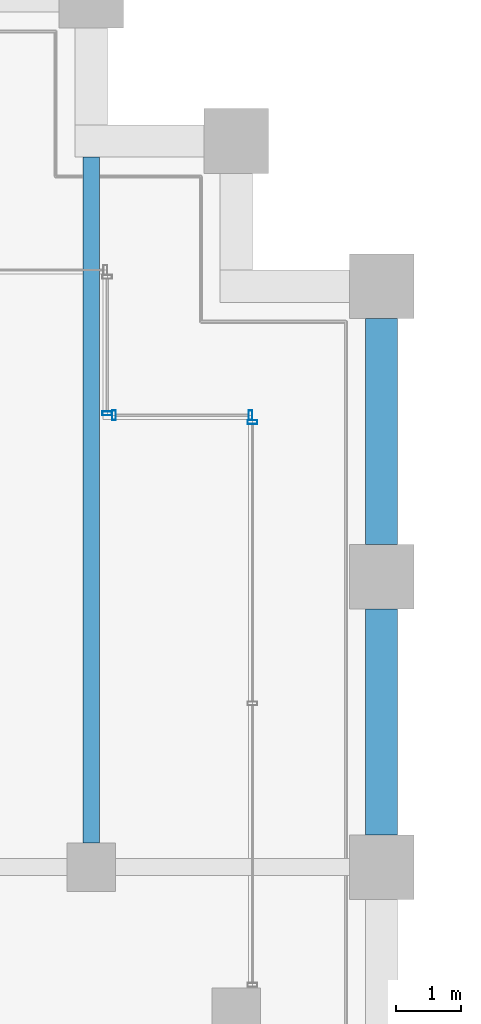
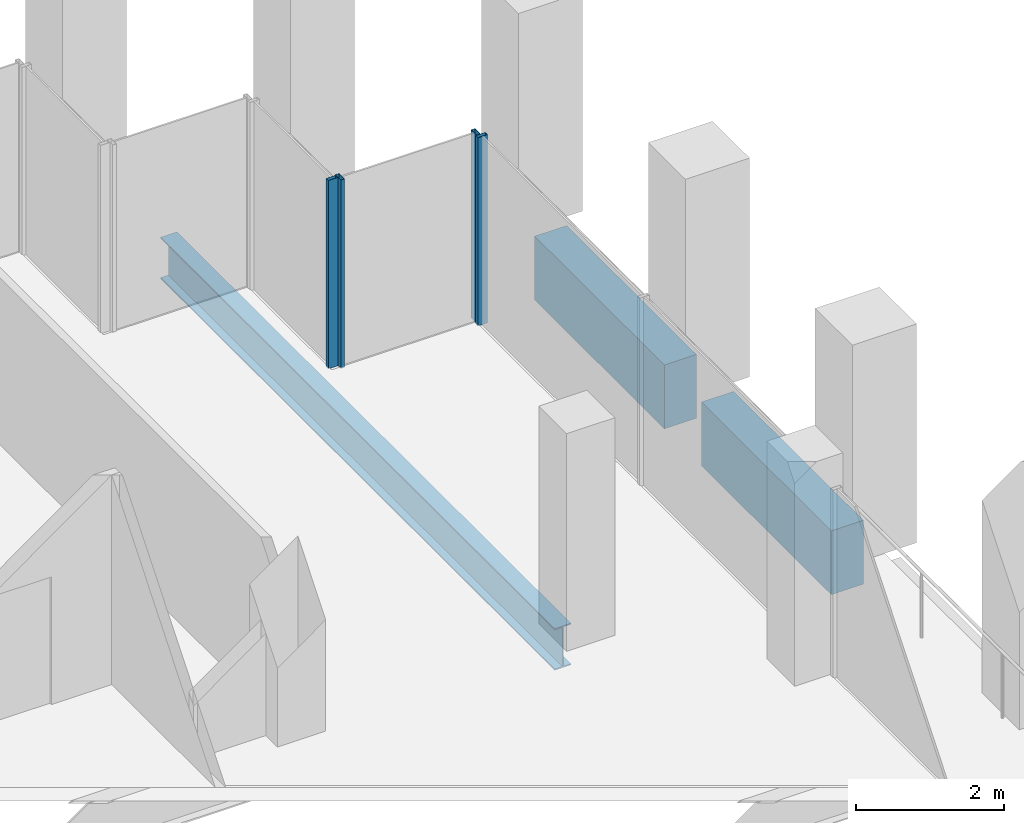
# One storey, part 25 of 46: 4 members, 3 beams, 3 elements without a shape of their own.
"""IFC4 building model written with IfcOpenShell, lengths in metres."""

from ifc_helpers import new_model, si_unit, direction, frame, origin, origin_2d, place, context, subcontext, project, spatial, rectangle, hollow_rectangle, i_section, extrude, material, material_profile, profile_set, type_object, element, aggregate, save


model = new_model("IFC4")

# Units and contexts
model_context = context("Model", 3, precision=1e-05, world=origin(), true_north=direction((0.0, 1.0)))
body_context = subcontext(model_context, "Body", "Model", "MODEL_VIEW")
ifc_project = project(units=[si_unit("LENGTHUNIT", "METRE"), si_unit("AREAUNIT", "SQUARE_METRE"), si_unit("VOLUMEUNIT", "CUBIC_METRE"), si_unit("PLANEANGLEUNIT", "RADIAN"), si_unit("MASSUNIT", "GRAM", prefix="KILO")], contexts=[model_context])

# Site, building, storey
site_placement = place(None, origin())
site = spatial("IfcSite", under=ifc_project, at=site_placement, CompositionType="ELEMENT")
building_placement = place(site_placement, origin())
building = spatial("IfcBuilding", under=site, at=building_placement, Name="Altepetl Exchange Towers", CompositionType="ELEMENT")
storey_placement = place(building_placement, frame((0.0, 0.0, 124.39990234375)))
storey = spatial("IfcBuildingStorey", under=building, at=storey_placement, Name="L30", CompositionType="ELEMENT", Elevation=124.39990234375)

# Beam
ifc_material_1 = material(Name="Steel S355", Category="steel")
ifc_material_profile_1 = material_profile(ifc_material_1, i_section(OverallWidth=0.25390625, OverallDepth=0.68408203125, WebThickness=0.012451171875, FlangeThickness=0.018798828125, at=origin_2d()), Name="W27X94")
ifc_profile_set_1 = profile_set([ifc_material_profile_1], Name="Steel S355")
beam_type_1 = type_object("IfcBeamType", Name="Floor beam W27X94", PredefinedType="BEAM", material=ifc_profile_set_1)
beam_placement = place(storey_placement, frame((67.5, 58.875, -0.491943359375), z_axis=(0.0, 1.0, 0.0), x_axis=(-1.0, 0.0, 0.0)))
element("IfcBeam", 1, at=beam_placement, inside=storey, type_object=beam_type_1, Name="bm:A:L30:005", PredefinedType="BEAM", context=body_context, shape_type="SweptSolid", body=[
    extrude(i_section(OverallWidth=0.25390625, OverallDepth=0.68408203125, WebThickness=0.012451171875, FlangeThickness=0.018798828125, at=origin_2d()), origin(), (0.0, 0.0, 1.0), 10.625),
])

# Curtain wall, member
ifc_material_2 = material(Name="Aluminium 6063-T6 glazing", Category="aluminium")
curtain_wall_type = type_object("IfcCurtainWallType", Name="Loggia glazing system", PredefinedType="NOTDEFINED", material=ifc_material_2)
curtain_wall_1_placement = place(storey_placement, origin())
curtain_wall_1 = element("IfcCurtainWall", 2, at=curtain_wall_1_placement, inside=storey, type_object=curtain_wall_type, Name="CW1 run", PredefinedType="NOTDEFINED")
ifc_material_3 = material(Name="Aluminium 6063-T6", Category="aluminium")
ifc_material_profile_2 = material_profile(ifc_material_3, hollow_rectangle(XDim=0.06005859375, YDim=0.14990234375, WallThickness=0.0029296875, at=origin_2d()), Name="Mullion 60x150 aluminium")
ifc_profile_set_2 = profile_set([ifc_material_profile_2], Name="Aluminium 6063-T6")
member_type = type_object("IfcMemberType", Name="Mullion 60x150 aluminium", PredefinedType="MULLION", material=ifc_profile_set_2)
member_1_placement = place(storey_placement, frame((70.0, 65.39501953125, 0.0), z_axis=(0.0, 0.0, 1.0), x_axis=(0.0, 1.0, 0.0)))
member_1 = element("IfcMember", 3, at=member_1_placement, type_object=member_type, Name="MU1 mullion", PredefinedType="MULLION", context=body_context, shape_type="SweptSolid", body=[
    extrude(hollow_rectangle(XDim=0.06005859375, YDim=0.14990234375, WallThickness=0.0029296875, at=origin_2d()), origin(), (0.0, 0.0, 1.0), 3.10009765625),
])
aggregate(curtain_wall_1, [member_1])

# Curtain wall, members
curtain_wall_2_placement = place(storey_placement, origin())
curtain_wall_2 = element("IfcCurtainWall", 4, at=curtain_wall_2_placement, inside=storey, type_object=curtain_wall_type, Name="CW1 run", PredefinedType="NOTDEFINED")
member_2_placement = place(storey_placement, frame((69.969970703125, 65.5, 0.0), z_axis=(0.0, 0.0, 1.0), x_axis=(-1.0, 0.0, 0.0)))
member_2 = element("IfcMember", 5, at=member_2_placement, type_object=member_type, Name="MU1 mullion", PredefinedType="MULLION", context=body_context, shape_type="SweptSolid", body=[
    extrude(hollow_rectangle(XDim=0.06005859375, YDim=0.14990234375, WallThickness=0.0029296875, at=origin_2d()), origin(), (0.0, 0.0, 1.0), 3.10009765625),
])
member_3_placement = place(storey_placement, frame((67.85498046875, 65.5, 0.0), z_axis=(0.0, 0.0, 1.0), x_axis=(-1.0, 0.0, 0.0)))
member_3 = element("IfcMember", 6, at=member_3_placement, type_object=member_type, Name="MU1 mullion", PredefinedType="MULLION", context=body_context, shape_type="SweptSolid", body=[
    extrude(hollow_rectangle(XDim=0.06005859375, YDim=0.14990234375, WallThickness=0.0029296875, at=origin_2d()), origin(), (0.0, 0.0, 1.0), 3.10009765625),
])
aggregate(curtain_wall_2, [member_2, member_3])

# Curtain wall, member
curtain_wall_3_placement = place(storey_placement, origin())
curtain_wall_3 = element("IfcCurtainWall", 7, at=curtain_wall_3_placement, inside=storey, type_object=curtain_wall_type, Name="CW1 run", PredefinedType="NOTDEFINED")
member_4_placement = place(storey_placement, frame((67.75, 65.530029296875, 0.0), z_axis=(0.0, 0.0, 1.0), x_axis=(0.0, 1.0, 0.0)))
member_4 = element("IfcMember", 8, at=member_4_placement, type_object=member_type, Name="MU1 mullion", PredefinedType="MULLION", context=body_context, shape_type="SweptSolid", body=[
    extrude(hollow_rectangle(XDim=0.06005859375, YDim=0.14990234375, WallThickness=0.0029296875, at=origin_2d()), origin(), (0.0, 0.0, 1.0), 3.10009765625),
])
aggregate(curtain_wall_3, [member_4])

# Beams
ifc_material_4 = material(Name="Concrete C50/60 precast with cantera rosa facing", Category="concrete")
ifc_material_profile_3 = material_profile(ifc_material_4, rectangle(XDim=0.5, YDim=1.050048828125, at=origin_2d()), Name="500 x 1050")
ifc_profile_set_3 = profile_set([ifc_material_profile_3], Name="Concrete C50/60 precast with cantera rosa facing")
beam_type_2 = type_object("IfcBeamType", Name="Spandrel beam 500x1050 cantera rosa", PredefinedType="SPANDREL", material=ifc_profile_set_3)
for number, where, z_axis, x_axis, name in (
    (9, (72.0, 59.0, -0.6748046875), (0.0, 1.0, 0.0), (-1.0, 0.0, 0.0), "sp:A:L30:018"),
    (10, (72.0, 63.5, -0.6748046875), (0.0, 1.0, 0.0), (-1.0, 0.0, 0.0), "sp:A:L30:019"),
):
    element("IfcBeam", number, at=place(storey_placement, frame(where, z_axis=z_axis, x_axis=x_axis)), inside=storey, type_object=beam_type_2, Name=name, PredefinedType="SPANDREL", context=body_context, shape_type="SweptSolid", body=[
        extrude(rectangle(XDim=0.5, YDim=1.050048828125, at=origin_2d()), origin(), (0.0, 0.0, 1.0), 3.5),
    ])

save(model, "model.ifc")
